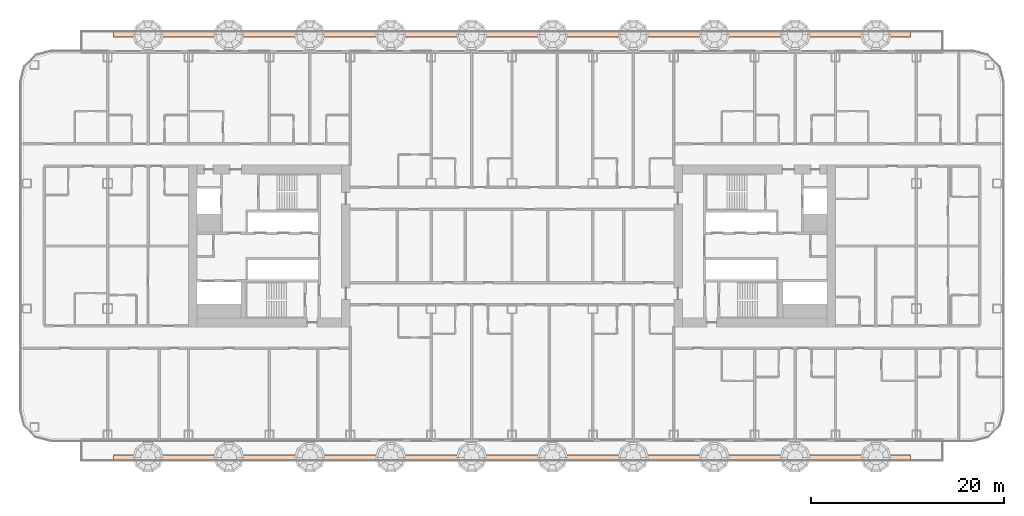
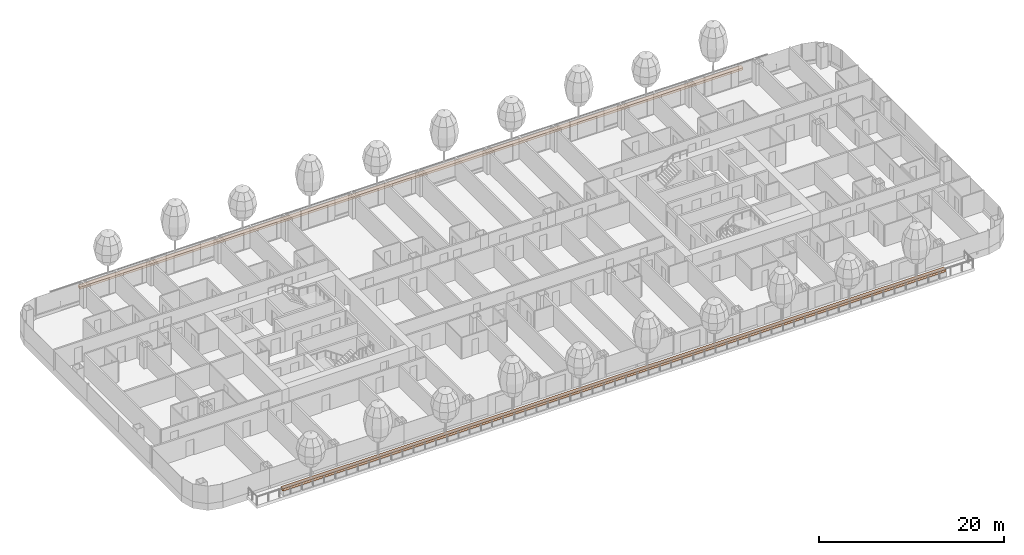
# One storey, part 32 of 36: 2 geographic elements.
"""IFC4 building model written with IfcOpenShell, lengths in metres."""

from ifc_helpers import new_model, si_unit, direction, frame, origin, origin_2d, place, context, subcontext, project, spatial, rectangle, extrude, material, type_object, element, save


model = new_model("IFC4")

# Units and contexts
model_context = context("Model", 3, precision=1e-05, world=origin(), true_north=direction((0.0, 1.0)))
body_context = subcontext(model_context, "Body", "Model", "MODEL_VIEW")
ifc_project = project(units=[si_unit("LENGTHUNIT", "METRE"), si_unit("AREAUNIT", "SQUARE_METRE"), si_unit("VOLUMEUNIT", "CUBIC_METRE"), si_unit("PLANEANGLEUNIT", "RADIAN"), si_unit("MASSUNIT", "GRAM", prefix="KILO")], contexts=[model_context])

# Site, building, storey
site_placement = place(None, origin())
site = spatial("IfcSite", under=ifc_project, at=site_placement, CompositionType="ELEMENT")
building_placement = place(site_placement, origin())
building = spatial("IfcBuilding", under=site, at=building_placement, Name="Hakoniwa Tower and Hamabe Station Hall", CompositionType="ELEMENT")
storey_placement = place(building_placement, frame((0.0, 0.0, 26.199951171875)))
storey = spatial("IfcBuildingStorey", under=building, at=storey_placement, Name="L06", CompositionType="ELEMENT", Elevation=26.199951171875)

# Geographic elements
ifc_material = material(Name="Shrub planting")
geographic_element_type = type_object("IfcGeographicElementType", Name="Shrub planting bed 500x300", PredefinedType="USERDEFINED", material=ifc_material)
for number, where, z_axis, x_axis, name in (
    (1, (0.0, 21.949951171875, 0.60009765625), (0.0, 0.0, 1.0), (1.0, 0.0, 0.0), "Shrub planting bed 500x300"),
    (2, (0.0, -21.949951171875, 0.60009765625), (0.0, 0.0, 1.0), (1.0, 0.0, 0.0), "Shrub planting bed 500x300"),
):
    element("IfcGeographicElement", number, at=place(storey_placement, frame(where, z_axis=z_axis, x_axis=x_axis)), inside=storey, type_object=geographic_element_type, Name=name, ObjectType="PLANTING", PredefinedType="USERDEFINED", context=body_context, shape_type="SweptSolid", body=[
        extrude(rectangle(XDim=82.800048828125, YDim=0.5, at=origin_2d()), origin(), (0.0, 0.0, 1.0), 0.300048828125),
    ])

save(model, "model.ifc")
